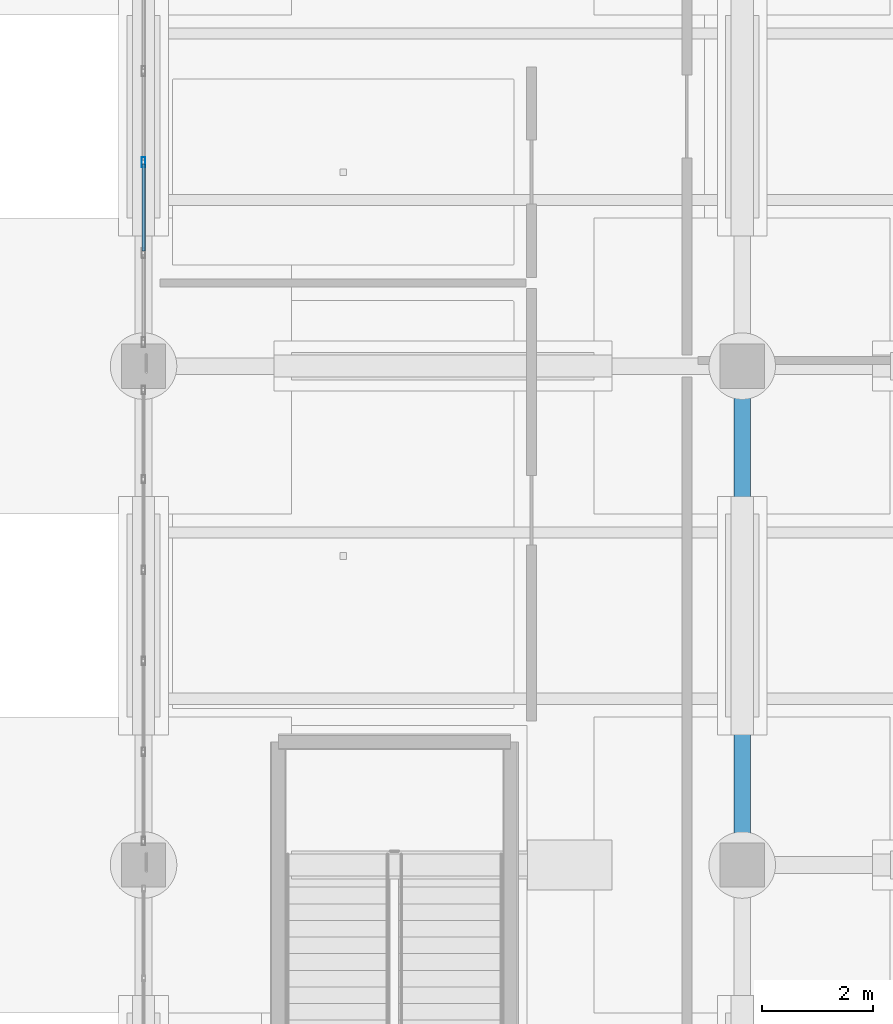
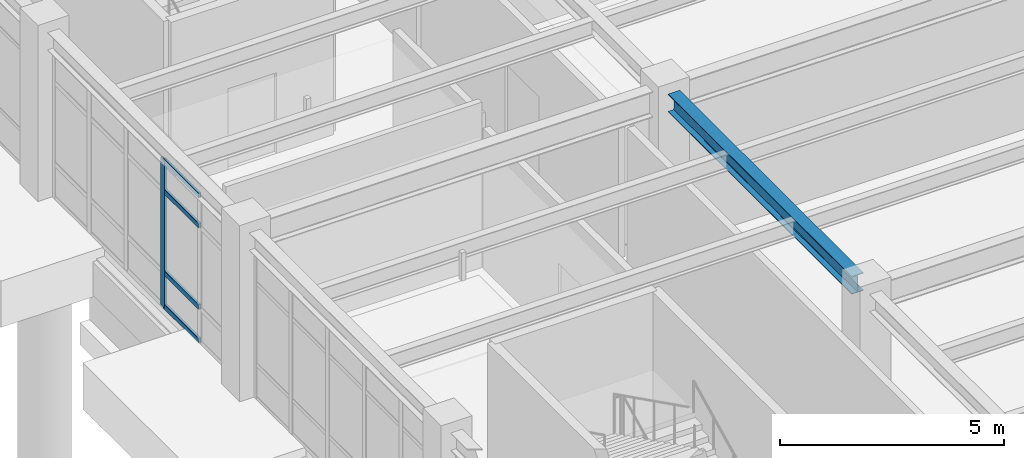
# One storey, part 40 of 98: 5 members, 1 beam, 1 element without a shape of its own.
"""IFC4 building model written with IfcOpenShell, lengths in metres."""

from ifc_helpers import new_model, si_unit, direction, frame, origin, origin_2d, place, context, subcontext, project, spatial, hollow_rectangle, i_section, extrude, material, material_profile, profile_set, type_object, element, aggregate, save


model = new_model("IFC4")

# Units and contexts
model_context = context("Model", 3, precision=1e-05, world=origin(), true_north=direction((0.0, 1.0)))
body_context = subcontext(model_context, "Body", "Model", "MODEL_VIEW")
ifc_project = project(units=[si_unit("LENGTHUNIT", "METRE"), si_unit("AREAUNIT", "SQUARE_METRE"), si_unit("VOLUMEUNIT", "CUBIC_METRE"), si_unit("PLANEANGLEUNIT", "RADIAN"), si_unit("MASSUNIT", "GRAM", prefix="KILO")], contexts=[model_context])

# Site, building, storey
site_placement = place(None, origin())
site = spatial("IfcSite", under=ifc_project, at=site_placement, CompositionType="ELEMENT")
building_placement = place(site_placement, origin())
building = spatial("IfcBuilding", under=site, at=building_placement, Name="Canglan Escarpment Cableway Terminal", CompositionType="ELEMENT")
storey_placement = place(building_placement, frame((0.0, 0.0, 9.60009765625)))
storey = spatial("IfcBuildingStorey", under=building, at=storey_placement, Name="L02", CompositionType="ELEMENT", Elevation=9.60009765625)

# Beam
ifc_material_1 = material(Name="Steel Q355B", Category="steel")
ifc_material_profile_1 = material_profile(ifc_material_1, i_section(OverallWidth=0.300048828125, OverallDepth=0.488037109375, WebThickness=0.010986328125, FlangeThickness=0.01806640625, FilletRadius=0.02587890625, at=origin_2d()), Name="HM 488x300x11x18")
ifc_profile_set_1 = profile_set([ifc_material_profile_1], Name="Steel Q355B")
beam_type = type_object("IfcBeamType", Name="BM-HM488", PredefinedType="BEAM", material=ifc_profile_set_1)
beam_placement = place(storey_placement, frame((125.89990234375, 52.39990234375, 4.27587890625), z_axis=(0.0, 1.0, 0.0), x_axis=(-1.0, 0.0, 0.0)))
element("IfcBeam", 1, at=beam_placement, inside=storey, type_object=beam_type, Name="Primary transverse girder B-09", PredefinedType="BEAM", context=body_context, shape_type="SweptSolid", body=[
    extrude(i_section(OverallWidth=0.300048828125, OverallDepth=0.488037109375, WebThickness=0.010986328125, FlangeThickness=0.01806640625, FilletRadius=0.02587890625, at=origin_2d()), origin(), (0.0, 0.0, 1.0), 8.2001953125),
])

# Curtain wall, members
ifc_material_2 = material(Name="Anodized bronze aluminium and Low-E double glazing", Category="aluminium")
curtain_wall_type = type_object("IfcCurtainWallType", Name="CW-BAY-8200x4025", PredefinedType="NOTDEFINED", material=ifc_material_2)
curtain_wall_placement = place(storey_placement, origin())
curtain_wall = element("IfcCurtainWall", 2, at=curtain_wall_placement, inside=storey, type_object=curtain_wall_type, Name="Classical bay-between-piers glazed curtain wall CW-44", PredefinedType="NOTDEFINED")
ifc_material_3 = material(Name="Thermally broken anodized aluminium 6063-T6", Category="aluminium")
ifc_material_profile_2 = material_profile(ifc_material_3, hollow_rectangle(XDim=0.06494140625, YDim=0.179931640625, WallThickness=0.00390625, InnerFilletRadius=0.00390625, OuterFilletRadius=0.008056640625, at=origin_2d()), Name="ALU-MULL 65x180x4")
ifc_profile_set_2 = profile_set([ifc_material_profile_2], Name="Thermally broken anodized aluminium 6063-T6")
member_type_1 = type_object("IfcMemberType", Name="CWM-03", PredefinedType="MULLION", material=ifc_profile_set_2)
member_1_placement = place(storey_placement, frame((115.10009765625, 64.679931640625, 0.0), z_axis=(0.0, 0.0, 1.0), x_axis=(1.0, 0.0, 0.0)))
member_1 = element("IfcMember", 3, at=member_1_placement, type_object=member_type_1, Name="CW-44 mullion 4", PredefinedType="MULLION", context=body_context, shape_type="SweptSolid", body=[
    extrude(hollow_rectangle(XDim=0.06494140625, YDim=0.179931640625, WallThickness=0.00390625, InnerFilletRadius=0.00390625, OuterFilletRadius=0.008056640625, at=origin_2d()), origin(), (0.0, 0.0, 1.0), 4.016845703125),
])
ifc_material_profile_3 = material_profile(ifc_material_3, hollow_rectangle(XDim=0.06494140625, YDim=0.139892578125, WallThickness=0.00341796875, InnerFilletRadius=0.00341796875, OuterFilletRadius=0.007080078125, at=origin_2d()), Name="ALU-TRAN 65x140x3.5")
ifc_profile_set_3 = profile_set([ifc_material_profile_3], Name="Thermally broken anodized aluminium 6063-T6")
member_type_2 = type_object("IfcMemberType", Name="CWT-03", PredefinedType="USERDEFINED", material=ifc_profile_set_3)
member_2_placement = place(storey_placement, frame((115.10009765625, 64.6474609375, 0.032470703125), z_axis=(0.0, -1.0, 0.0), x_axis=(1.0, 0.0, 0.0)))
member_2 = element("IfcMember", 4, at=member_2_placement, type_object=member_type_2, Name="CW-44 transom 4.1", ObjectType="TRANSOM", PredefinedType="USERDEFINED", context=body_context, shape_type="SweptSolid", body=[
    extrude(hollow_rectangle(XDim=0.06494140625, YDim=0.139892578125, WallThickness=0.00341796875, InnerFilletRadius=0.00341796875, OuterFilletRadius=0.007080078125, at=origin_2d()), origin(), (0.0, 0.0, 1.0), 1.574951171875),
])
member_3_placement = place(storey_placement, frame((115.10009765625, 64.6474609375, 0.949951171875), z_axis=(0.0, -1.0, 0.0), x_axis=(1.0, 0.0, 0.0)))
member_3 = element("IfcMember", 5, at=member_3_placement, type_object=member_type_2, Name="CW-44 transom 4.2", ObjectType="TRANSOM", PredefinedType="USERDEFINED", context=body_context, shape_type="SweptSolid", body=[
    extrude(hollow_rectangle(XDim=0.06494140625, YDim=0.139892578125, WallThickness=0.00341796875, InnerFilletRadius=0.00341796875, OuterFilletRadius=0.007080078125, at=origin_2d()), origin(), (0.0, 0.0, 1.0), 1.574951171875),
])
member_4_placement = place(storey_placement, frame((115.10009765625, 64.6474609375, 3.1669921875), z_axis=(0.0, -1.0, 0.0), x_axis=(1.0, 0.0, 0.0)))
member_4 = element("IfcMember", 6, at=member_4_placement, type_object=member_type_2, Name="CW-44 transom 4.3", ObjectType="TRANSOM", PredefinedType="USERDEFINED", context=body_context, shape_type="SweptSolid", body=[
    extrude(hollow_rectangle(XDim=0.06494140625, YDim=0.139892578125, WallThickness=0.00341796875, InnerFilletRadius=0.00341796875, OuterFilletRadius=0.007080078125, at=origin_2d()), origin(), (0.0, 0.0, 1.0), 1.574951171875),
])
member_5_placement = place(storey_placement, frame((115.10009765625, 64.6474609375, 3.984375), z_axis=(0.0, -1.0, 0.0), x_axis=(1.0, 0.0, 0.0)))
member_5 = element("IfcMember", 7, at=member_5_placement, type_object=member_type_2, Name="CW-44 transom 4.4", ObjectType="TRANSOM", PredefinedType="USERDEFINED", context=body_context, shape_type="SweptSolid", body=[
    extrude(hollow_rectangle(XDim=0.06494140625, YDim=0.139892578125, WallThickness=0.00341796875, InnerFilletRadius=0.00341796875, OuterFilletRadius=0.007080078125, at=origin_2d()), origin(), (0.0, 0.0, 1.0), 1.574951171875),
])
aggregate(curtain_wall, [member_1, member_2, member_3, member_4, member_5])

save(model, "model.ifc")
